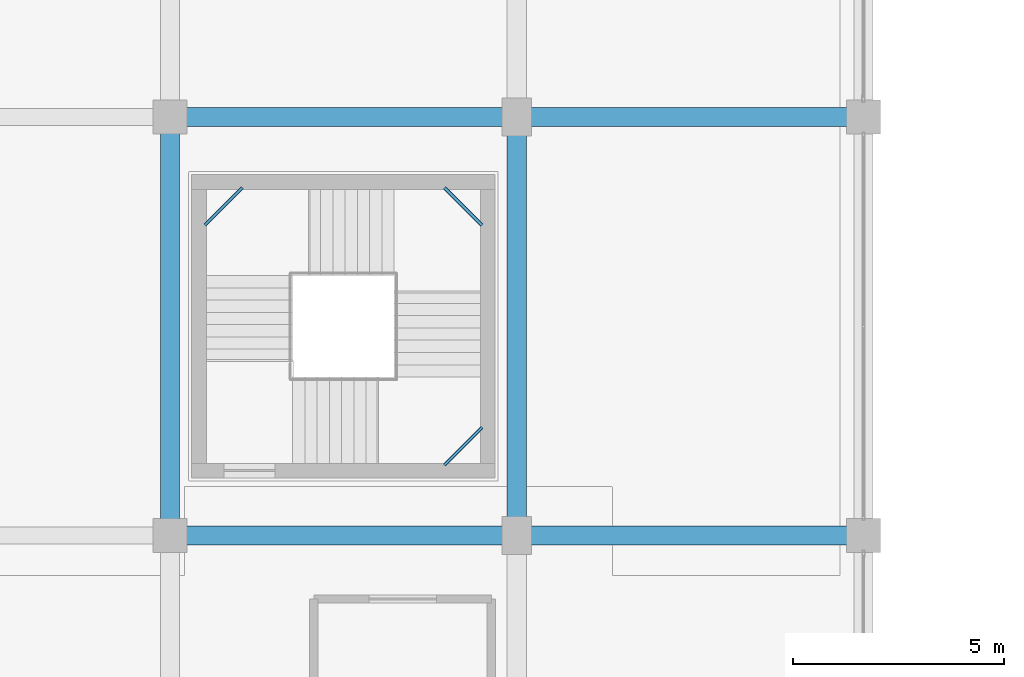
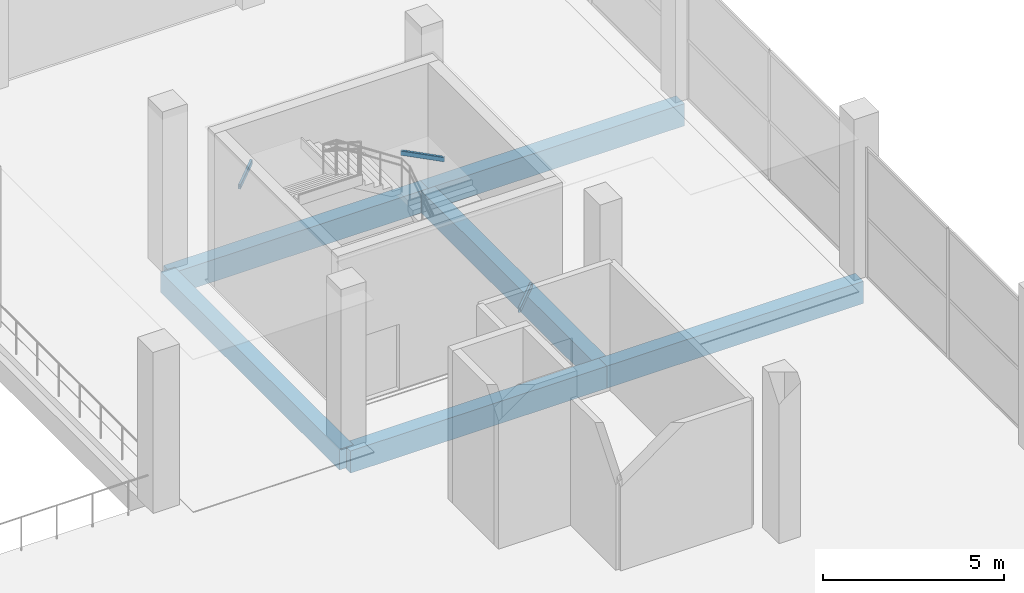
# One storey, part 11 of 74: 9 beams.
"""IFC4 building model written with IfcOpenShell, lengths in metres."""

from ifc_helpers import new_model, si_unit, direction, frame, origin, origin_2d, place, context, subcontext, project, spatial, rectangle, hollow_rectangle, extrude, material, material_profile, profile_set, type_object, element, save


model = new_model("IFC4")

# Units and contexts
model_context = context("Model", 3, precision=1e-05, world=origin(), true_north=direction((0.0, 1.0)))
body_context = subcontext(model_context, "Body", "Model", "MODEL_VIEW")
ifc_project = project(units=[si_unit("LENGTHUNIT", "METRE"), si_unit("AREAUNIT", "SQUARE_METRE"), si_unit("VOLUMEUNIT", "CUBIC_METRE"), si_unit("PLANEANGLEUNIT", "RADIAN"), si_unit("MASSUNIT", "GRAM", prefix="KILO")], contexts=[model_context])

# Site, building, storey
site_placement = place(None, origin())
site = spatial("IfcSite", under=ifc_project, at=site_placement, CompositionType="ELEMENT")
building_placement = place(site_placement, origin())
building = spatial("IfcBuilding", under=site, at=building_placement, Name="Sillaruma Civic Art Gallery", CompositionType="ELEMENT")
storey_placement = place(building_placement, frame((0.0, 0.0, 5.43994140625)))
storey = spatial("IfcBuildingStorey", under=building, at=storey_placement, Name="L01", CompositionType="ELEMENT", Elevation=5.43994140625)

# Beams
ifc_material_1 = material(Name="Concrete H40 (40 MPa)", Category="concrete")
ifc_material_profile_1 = material_profile(ifc_material_1, rectangle(XDim=0.449951171875, YDim=0.75, at=origin_2d()), Name="RCB450x750")
ifc_profile_set_1 = profile_set([ifc_material_profile_1], Name="Concrete H40 (40 MPa)")
beam_type_1 = type_object("IfcBeamType", Name="BM-BEAM-RCB450x750", PredefinedType="BEAM", material=ifc_profile_set_1)
for number, where, z_axis, x_axis, name in (
    (1, (98.0, 49.5, -0.635009765625), (1.0, 0.0, 0.0), (0.0, 1.0, 0.0), "Beam BM-03 (L00:6:L-M)"),
    (2, (106.199951171875, 49.5, -0.635009765625), (1.0, 0.0, 0.0), (0.0, 1.0, 0.0), "Beam BM-03 (L00:6:M-N)"),
    (3, (98.0, 59.39990234375, -0.635009765625), (1.0, 0.0, 0.0), (0.0, 1.0, 0.0), "Beam BM-03 (L00:7:L-M)"),
    (4, (106.199951171875, 59.39990234375, -0.635009765625), (1.0, 0.0, 0.0), (0.0, 1.0, 0.0), "Beam BM-03 (L00:7:M-N)"),
):
    element("IfcBeam", number, at=place(storey_placement, frame(where, z_axis=z_axis, x_axis=x_axis)), inside=storey, type_object=beam_type_1, Name=name, PredefinedType="BEAM", context=body_context, shape_type="SweptSolid", body=[
        extrude(rectangle(XDim=0.449951171875, YDim=0.75, at=origin_2d()), origin(), (0.0, 0.0, 1.0), 8.199951171875),
    ])
beam_1_placement = place(storey_placement, frame((106.199951171875, 49.5, -0.635009765625), z_axis=(0.0, 1.0, 0.0), x_axis=(-1.0, 0.0, 0.0)))
element("IfcBeam", 5, at=beam_1_placement, inside=storey, type_object=beam_type_1, Name="Beam BM-03 (L00:M:6-7)", PredefinedType="BEAM", context=body_context, shape_type="SweptSolid", body=[
    extrude(rectangle(XDim=0.449951171875, YDim=0.75, at=origin_2d()), origin(), (0.0, 0.0, 1.0), 9.89990234375),
])
ifc_material_2 = material(Name="Structural Steel ASTM A500 Gr.C", Category="steel")
ifc_material_profile_2 = material_profile(ifc_material_2, hollow_rectangle(XDim=0.080078125, YDim=0.159912109375, WallThickness=0.008056640625, InnerFilletRadius=0.008056640625, OuterFilletRadius=0.01611328125, at=origin_2d()), Name="HSS160x80x8")
ifc_profile_set_2 = profile_set([ifc_material_profile_2], Name="Structural Steel ASTM A500 Gr.C")
beam_type_2 = type_object("IfcBeamType", Name="BM-LND-HSS160", PredefinedType="BEAM", material=ifc_profile_set_2)
beam_2_placement = place(storey_placement, frame((104.489990234375, 51.169921875, 1.080078125), z_axis=(0.707009791025, 0.707203758046, 0.0), x_axis=(-0.707203758046, 0.707009791025, 0.0)))
element("IfcBeam", 6, at=beam_2_placement, inside=storey, type_object=beam_type_2, Name="Stair Corner Landing Trimmer Beam (ST-04-L01-1)", PredefinedType="BEAM", context=body_context, shape_type="SweptSolid", body=[
    extrude(hollow_rectangle(XDim=0.080078125, YDim=0.159912109375, WallThickness=0.008056640625, InnerFilletRadius=0.008056640625, OuterFilletRadius=0.01611328125, at=origin_2d()), origin(), (0.0, 0.0, 1.0), 1.2587890625),
])
for number, where, z_axis, x_axis, name in (
    (7, (104.489990234375, 57.72998046875, 2.43994140625), (0.707106781187, -0.707106781187, 0.0), (0.707106781187, 0.707106781187, 0.0), "Stair Corner Landing Trimmer Beam (ST-04-L01-2)"),
    (8, (98.820068359375, 56.840087890625, 3.800048828125), (0.707106781187, 0.707106781187, 0.0), (-0.707106781187, 0.707106781187, 0.0), "Stair Corner Landing Trimmer Beam (ST-04-L01-3)"),
):
    element("IfcBeam", number, at=place(storey_placement, frame(where, z_axis=z_axis, x_axis=x_axis)), inside=storey, type_object=beam_type_2, Name=name, PredefinedType="BEAM", context=body_context, shape_type="SweptSolid", body=[
        extrude(hollow_rectangle(XDim=0.080078125, YDim=0.159912109375, WallThickness=0.008056640625, InnerFilletRadius=0.008056640625, OuterFilletRadius=0.01611328125, at=origin_2d()), origin(), (0.0, 0.0, 1.0), 1.258544921875),
    ])
ifc_material_3 = material(Name="Concrete H35 (35 MPa)", Category="concrete")
ifc_material_profile_3 = material_profile(ifc_material_3, rectangle(XDim=0.449951171875, YDim=0.699951171875, at=origin_2d()), Name="RCB450x700")
ifc_profile_set_3 = profile_set([ifc_material_profile_3], Name="Concrete H35 (35 MPa)")
beam_type_3 = type_object("IfcBeamType", Name="BM-SPANDREL-RCB450x700", PredefinedType="SPANDREL", material=ifc_profile_set_3)
beam_3_placement = place(storey_placement, frame((98.0, 49.5, -0.60986328125), z_axis=(0.0, 1.0, 0.0), x_axis=(-1.0, 0.0, 0.0)))
element("IfcBeam", 9, at=beam_3_placement, inside=storey, type_object=beam_type_3, Name="Beam BS-03 (L00:L:6-7)", PredefinedType="SPANDREL", context=body_context, shape_type="SweptSolid", body=[
    extrude(rectangle(XDim=0.449951171875, YDim=0.699951171875, at=origin_2d()), origin(), (0.0, 0.0, 1.0), 9.89990234375),
])

save(model, "model.ifc")
